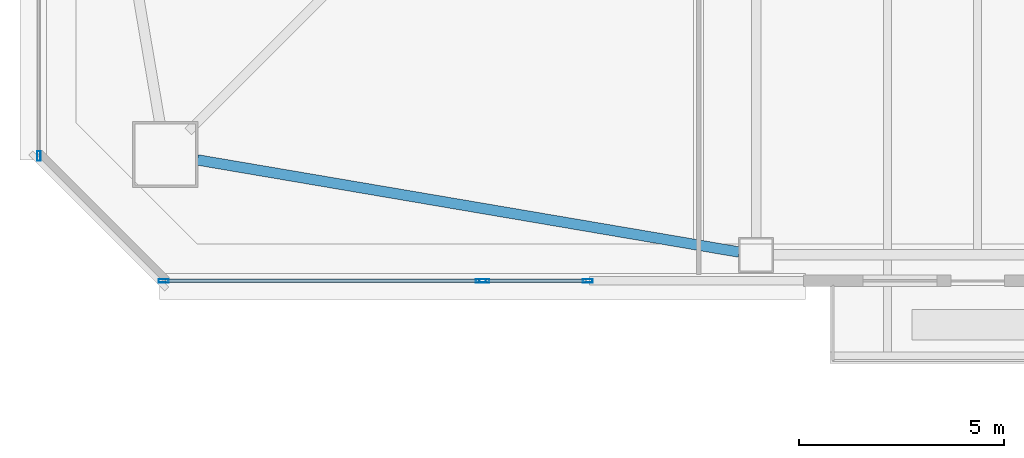
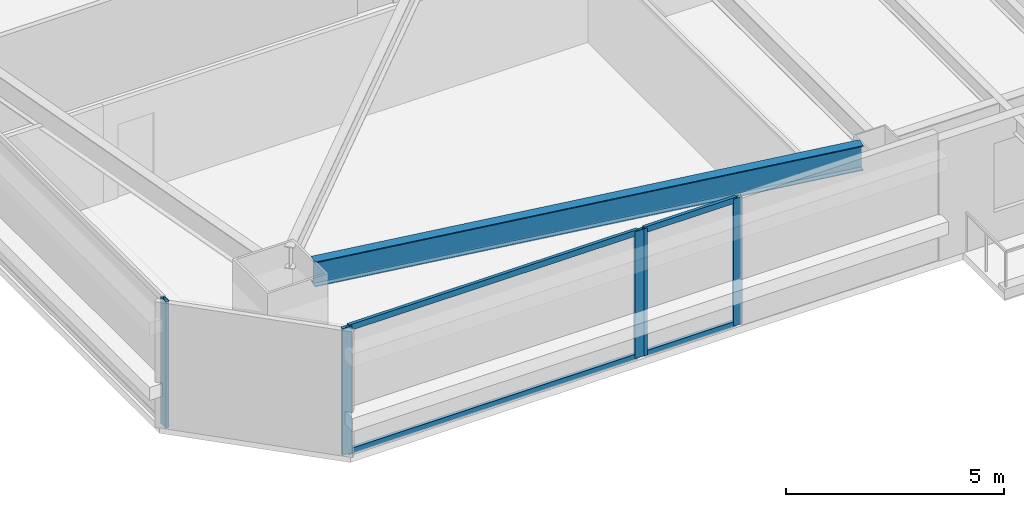
# One storey, part 3 of 45: 9 members, 1 beam, 3 elements without a shape of their own.
"""IFC4 building model written with IfcOpenShell, lengths in metres."""

import ifcopenshell
import ifcopenshell.guid

model = None  # the IFC model being written
_history = None  # IfcOwnerHistory: only IFC2X3 demands one
_inside = {}  # id of a spatial element -> (the spatial element, [elements in it])
_under = {}  # id of a project, library or spatial element -> (it, [spatial elements below it])
_declared = {}  # id of a project -> (the project, [libraries it declares])
_typed = {}  # id of a type object -> (the type object, [elements of that type])
_made_of = {}  # id of a material, layer set ... -> (it, [elements and type objects made of it])


def new_model(schema):
    """Start an empty IFC model of exactly this schema.

    Asked for "IFC4X3", IfcOpenShell would pick the latest addendum, in which some entities
    have other attributes; the version numbers below select the first issue.
    IFC2X3 requires an IfcOwnerHistory on every rooted entity: one is made here for all.
    """
    global model, _history
    if schema == "IFC4X3":
        model = ifcopenshell.file(schema_version=(4, 3, 0, 0))
    else:
        model = ifcopenshell.file(schema=schema)
    _inside.clear()
    _under.clear()
    _declared.clear()
    _typed.clear()
    _made_of.clear()
    _history = None
    if model.schema == "IFC2X3":
        org = make("IfcOrganization", Name="unknown")
        user = make(
            "IfcPersonAndOrganization",
            ThePerson=make("IfcPerson", FamilyName="unknown"),
            TheOrganization=org,
        )
        app = make(
            "IfcApplication",
            ApplicationDeveloper=org,
            Version="unknown",
            ApplicationFullName="unknown",
            ApplicationIdentifier="unknown",
        )
        _history = make(
            "IfcOwnerHistory",
            OwningUser=user,
            OwningApplication=app,
            ChangeAction="ADDED",
            CreationDate=0,
        )
    return model


def make(cls, **values):
    """One entity of the class cls with the attributes given. An attribute that is None is left unset."""
    return model.create_entity(
        cls, **{name: value for name, value in values.items() if value is not None}
    )


def rooted(cls, **values):
    """An entity with a GlobalId (a new one), such as an element, a storey or a relation."""
    return make(cls, GlobalId=ifcopenshell.guid.new(), OwnerHistory=_history, **values)


def si_unit(unit_type, name, prefix=None):
    """IfcSIUnit, for example si_unit("LENGTHUNIT", "METRE", prefix="MILLI")."""
    return make("IfcSIUnit", UnitType=unit_type, Prefix=prefix, Name=name)


def assignment(units):
    """IfcUnitAssignment: the units of a project."""
    return None if units is None else make("IfcUnitAssignment", Units=units)


def point(xyz):
    """IfcCartesianPoint."""
    return None if xyz is None else make("IfcCartesianPoint", Coordinates=xyz)


def direction(xyz):
    """IfcDirection."""
    return None if xyz is None else make("IfcDirection", DirectionRatios=xyz)


def frame(location, z_axis=None, x_axis=None):
    """IfcAxis2Placement3D, a coordinate frame: its origin and axes. An axis left out is left unset."""
    return make(
        "IfcAxis2Placement3D",
        Location=point(location),
        Axis=direction(z_axis),
        RefDirection=direction(x_axis),
    )


def frame_2d(location, x_axis=None):
    """IfcAxis2Placement2D, a coordinate frame in the plane: its origin and x axis."""
    return make(
        "IfcAxis2Placement2D", Location=point(location), RefDirection=direction(x_axis)
    )


def origin():
    """The frame at (0, 0, 0) with its axes left unset."""
    return frame((0.0, 0.0, 0.0))


def origin_2d():
    """The frame at (0, 0) in the plane with its x axis left unset."""
    return frame_2d((0.0, 0.0))


def place(relative_to, where):
    """IfcLocalPlacement: puts the frame where relative to a parent placement (None: the world)."""
    return make(
        "IfcLocalPlacement", PlacementRelTo=relative_to, RelativePlacement=where
    )


def context(
    kind, dimensions, precision=None, world=None, true_north=None, identifier=None
):
    """IfcGeometricRepresentationContext, for example the 3D "Model" context."""
    return make(
        "IfcGeometricRepresentationContext",
        ContextIdentifier=identifier,
        ContextType=kind,
        CoordinateSpaceDimension=dimensions,
        Precision=precision,
        WorldCoordinateSystem=world,
        TrueNorth=true_north,
    )


def subcontext(parent, identifier, kind, view, scale=None):
    """IfcGeometricRepresentationSubContext, for example "Body" below "Model"."""
    return make(
        "IfcGeometricRepresentationSubContext",
        ContextIdentifier=identifier,
        ContextType=kind,
        ParentContext=parent,
        TargetScale=scale,
        TargetView=view,
    )


def project(units=None, contexts=None):
    """IfcProject with its units and contexts."""
    return rooted(
        "IfcProject",
        Name="project",
        RepresentationContexts=contexts,
        UnitsInContext=assignment(units),
    )


def spatial(cls, under=None, at=None, **own):
    """A site, building, storey or space (cls), placed at a placement, below another one or the project."""
    s = rooted(cls, ObjectPlacement=at, **own)
    if under is not None:
        _under.setdefault(under.id(), (under, []))[1].append(s)
    return s


def profile(cls, at=None, kind="AREA", **sizes):
    """A parametric profile (cls). Its sizes go by their IFC names, for example OverallWidth=200.0."""
    return make(cls, ProfileType=kind, Position=at, **sizes)


def hollow_rectangle(**sizes):
    """IfcRectangleHollowProfileDef."""
    return profile("IfcRectangleHollowProfileDef", **sizes)


def i_section(**sizes):
    """IfcIShapeProfileDef."""
    return profile("IfcIShapeProfileDef", **sizes)


def extrude(swept, where, along, depth):
    """IfcExtrudedAreaSolid: the profile swept, set in the frame where, extruded along a direction by depth."""
    return make(
        "IfcExtrudedAreaSolid",
        SweptArea=swept,
        Position=where,
        ExtrudedDirection=direction(along),
        Depth=depth,
    )


def shape(context_of_items, identifier, shape_type, items):
    """IfcShapeRepresentation: the items that make up one representation, for example the "Body"."""
    return make(
        "IfcShapeRepresentation",
        ContextOfItems=context_of_items,
        RepresentationIdentifier=identifier,
        RepresentationType=shape_type,
        Items=items,
    )


def material(Name=None, Category=None):
    """IfcMaterial."""
    return make("IfcMaterial", Name=Name, Category=Category)


def material_profile(
    of_material, cross_section, Name=None, Category=None, Priority=None
):
    """IfcMaterialProfile: a cross section and its material."""
    return make(
        "IfcMaterialProfile",
        Name=Name,
        Material=of_material,
        Profile=cross_section,
        Priority=Priority,
        Category=Category,
    )


def profile_set(profiles, Name=None, composite=None):
    """IfcMaterialProfileSet."""
    return make(
        "IfcMaterialProfileSet",
        Name=Name,
        MaterialProfiles=profiles,
        CompositeProfile=composite,
    )


def made_of(thing, what):
    """Note that an element or type object is made of a material, layer set ...; save() writes the relation."""
    if what is not None:
        _made_of.setdefault(what.id(), (what, []))[1].append(thing)
    return thing


def type_object(cls, material=None, **own):
    """A type object (cls), such as IfcWallType, which elements share."""
    return made_of(rooted(cls, **own), material)


def element(
    cls,
    number,
    at=None,
    inside=None,
    cuts=None,
    type_object=None,
    material=None,
    context=None,
    identifier="Body",
    shape_type=None,
    held_by="IfcProductDefinitionShape",
    body=None,
    shapes=None,
    **own,
):
    """One element of the class cls, such as IfcWall. Its Tag is "e" and its number.

    at: its placement. inside: the storey or other place that contains it. cuts: it is an
    opening in that element (IfcRelVoidsElement). A single representation is given by context,
    identifier, shape_type and body (its items); several are given by shapes. held_by: the class
    of the entity that holds the representations. save() writes the other relations.
    """
    e = rooted(cls, Tag="e%d" % number, ObjectPlacement=at, **own)
    if body is not None:
        shapes = [shape(context, identifier, shape_type, body)]
    if shapes is not None:
        e.Representation = make(held_by, Representations=shapes)
    if inside is not None:
        _inside.setdefault(inside.id(), (inside, []))[1].append(e)
    if cuts is not None:
        rooted(
            "IfcRelVoidsElement", RelatingBuildingElement=cuts, RelatedOpeningElement=e
        )
    if type_object is not None:
        _typed.setdefault(type_object.id(), (type_object, []))[1].append(e)
    return made_of(e, material)


def aggregate(whole, parts):
    """IfcRelAggregates: a whole, such as a stair, and the parts it consists of."""
    return rooted("IfcRelAggregates", RelatingObject=whole, RelatedObjects=parts)


def save(model, path):
    """Write the relations noted so far, then the file.

    IfcRelAggregates (storeys below a building ...), IfcRelContainedInSpatialStructure (elements
    in a storey), IfcRelDefinesByType, IfcRelAssociatesMaterial and IfcRelDeclares: one each for
    every whole, place, type object, material and project.
    """
    for whole, parts in _under.values():
        aggregate(whole, parts)
    for where, things in _inside.values():
        rooted(
            "IfcRelContainedInSpatialStructure",
            RelatedElements=things,
            RelatingStructure=where,
        )
    for kind, things in _typed.values():
        rooted("IfcRelDefinesByType", RelatedObjects=things, RelatingType=kind)
    for what, things in _made_of.values():
        rooted("IfcRelAssociatesMaterial", RelatedObjects=things, RelatingMaterial=what)
    for by, libraries in _declared.values():
        rooted("IfcRelDeclares", RelatingContext=by, RelatedDefinitions=libraries)
    model.write(path)


model = new_model("IFC4")

# Units and contexts
model_context = context("Model", 3, precision=1e-05, world=origin(), true_north=direction((0.0, 1.0)))
body_context = subcontext(model_context, "Body", "Model", "MODEL_VIEW")
ifc_project = project(units=[si_unit("LENGTHUNIT", "METRE"), si_unit("AREAUNIT", "SQUARE_METRE"), si_unit("VOLUMEUNIT", "CUBIC_METRE"), si_unit("PLANEANGLEUNIT", "RADIAN"), si_unit("MASSUNIT", "GRAM", prefix="KILO")], contexts=[model_context])

# Site, building, storey
site_placement = place(None, origin())
site = spatial("IfcSite", under=ifc_project, at=site_placement, CompositionType="ELEMENT")
building_placement = place(site_placement, origin())
building = spatial("IfcBuilding", under=site, at=building_placement, Name="Tashvorn Skyway Center", CompositionType="ELEMENT")
storey_placement = place(building_placement, frame((0.0, 0.0, 35.25)))
storey = spatial("IfcBuildingStorey", under=building, at=storey_placement, Name="L08", CompositionType="ELEMENT", Elevation=35.25)

# Beam
ifc_material_1 = material(Name="Steel ASTM A992 Grade 50", Category="steel")
ifc_material_profile_1 = material_profile(ifc_material_1, i_section(OverallWidth=0.256103515625, OverallDepth=0.693115234375, WebThickness=0.014404296875, FlangeThickness=0.023681640625, at=origin_2d()), Name="W27X114")
ifc_profile_set_1 = profile_set([ifc_material_profile_1], Name="Steel ASTM A992 Grade 50")
beam_type = type_object("IfcBeamType", Name="BM-SPANDREL-W27X114", PredefinedType="SPANDREL", material=ifc_profile_set_1)
beam_placement = place(storey_placement, frame((22.983642578125, 12.066650390625, 3.00341796875), z_axis=(0.985835025551, -0.16771792509, 0.0), x_axis=(0.16771792509, 0.985835025551, 0.0)))
element("IfcBeam", 1, at=beam_placement, inside=storey, type_object=beam_type, Name="Tower 1 L08 Spandrel Beam 01", PredefinedType="SPANDREL", context=body_context, shape_type="SweptSolid", body=[
    extrude(i_section(OverallWidth=0.256103515625, OverallDepth=0.693115234375, WebThickness=0.014404296875, FlangeThickness=0.023681640625, at=origin_2d()), origin(), (0.0, 0.0, 1.0), 13.39208984375),
])

# Curtain wall, members
ifc_material_2 = material(Name="Thermally broken bronze-anodized aluminium 6063-T6", Category="aluminium")
curtain_wall_type = type_object("IfcCurtainWallType", Name="CW-CW-Z1", PredefinedType="NOTDEFINED", material=ifc_material_2)
curtain_wall_1_placement = place(storey_placement, origin())
curtain_wall_1 = element("IfcCurtainWall", 2, at=curtain_wall_1_placement, inside=storey, type_object=curtain_wall_type, Name="Tower 1 L08 South Curtain Wall R Glazing Group 1", PredefinedType="NOTDEFINED")
ifc_material_profile_2 = material_profile(ifc_material_2, hollow_rectangle(XDim=0.0849609375, YDim=0.239990234375, WallThickness=0.0048828125, at=origin_2d()), Name="ALU-MULL-85x240")
ifc_profile_set_2 = profile_set([ifc_material_profile_2], Name="Thermally broken bronze-anodized aluminium 6063-T6")
member_type_1 = type_object("IfcMemberType", Name="CWM-CW-Z1", PredefinedType="MULLION", material=ifc_profile_set_2)
member_1_placement = place(storey_placement, frame((32.49755859375, 9.1201171875, 0.0), z_axis=(0.0, 0.0, 1.0), x_axis=(0.0, -1.0, 0.0)))
member_1 = element("IfcMember", 3, at=member_1_placement, type_object=member_type_1, Name="CW-Z1 mullion 1", PredefinedType="MULLION", context=body_context, shape_type="SweptSolid", body=[
    extrude(hollow_rectangle(XDim=0.0849609375, YDim=0.239990234375, WallThickness=0.0048828125, at=origin_2d()), origin(), (0.0, 0.0, 1.0), 3.550048828125),
])
member_2_placement = place(storey_placement, frame((29.9775390625, 9.1201171875, 0.0), z_axis=(0.0, 0.0, 1.0), x_axis=(0.0, -1.0, 0.0)))
member_2 = element("IfcMember", 4, at=member_2_placement, type_object=member_type_1, Name="CW-Z1 mullion 2", PredefinedType="MULLION", context=body_context, shape_type="SweptSolid", body=[
    extrude(hollow_rectangle(XDim=0.0849609375, YDim=0.239990234375, WallThickness=0.0048828125, at=origin_2d()), origin(), (0.0, 0.0, 1.0), 3.550048828125),
])

curtain_wall_2_placement = place(storey_placement, origin())
curtain_wall_2 = element("IfcCurtainWall", 5, at=curtain_wall_2_placement, inside=storey, type_object=curtain_wall_type, Name="Tower 1 L08 South Curtain Wall R Glazing Group 2", PredefinedType="NOTDEFINED")
member_3_placement = place(storey_placement, frame((29.892578125, 9.1201171875, 0.0), z_axis=(0.0, 0.0, 1.0), x_axis=(0.0, -1.0, 0.0)))
member_3 = element("IfcMember", 6, at=member_3_placement, type_object=member_type_1, Name="CW-Z1 mullion 1", PredefinedType="MULLION", context=body_context, shape_type="SweptSolid", body=[
    extrude(hollow_rectangle(XDim=0.0849609375, YDim=0.239990234375, WallThickness=0.0048828125, at=origin_2d()), origin(), (0.0, 0.0, 1.0), 3.550048828125),
])
member_4_placement = place(storey_placement, frame((22.16259765625, 9.1201171875, 0.0), z_axis=(0.0, 0.0, 1.0), x_axis=(0.0, -1.0, 0.0)))
member_4 = element("IfcMember", 7, at=member_4_placement, type_object=member_type_1, Name="CW-Z1 mullion 2", PredefinedType="MULLION", context=body_context, shape_type="SweptSolid", body=[
    extrude(hollow_rectangle(XDim=0.0849609375, YDim=0.239990234375, WallThickness=0.0048828125, at=origin_2d()), origin(), (0.0, 0.0, 1.0), 3.550048828125),
])

# Curtain wall, member
curtain_wall_3_placement = place(storey_placement, origin())
curtain_wall_3 = element("IfcCurtainWall", 8, at=curtain_wall_3_placement, inside=storey, type_object=curtain_wall_type, Name="Tower 1 L08 West Unitised Curtain Wall Glazing Group 1", PredefinedType="NOTDEFINED")
member_5_placement = place(storey_placement, frame((19.1201171875, 12.16259765625, 0.0), z_axis=(0.0, 0.0, 1.0), x_axis=(-1.0, 0.0, 0.0)))
member_5 = element("IfcMember", 9, at=member_5_placement, type_object=member_type_1, Name="CW-Z1 mullion 1", PredefinedType="MULLION", context=body_context, shape_type="SweptSolid", body=[
    extrude(hollow_rectangle(XDim=0.0849609375, YDim=0.239990234375, WallThickness=0.0048828125, at=origin_2d()), origin(), (0.0, 0.0, 1.0), 3.550048828125),
])
aggregate(curtain_wall_3, [member_5])

# Member
ifc_material_profile_3 = material_profile(ifc_material_2, hollow_rectangle(XDim=0.0849609375, YDim=0.1650390625, WallThickness=0.0048828125, at=origin_2d()), Name="ALU-TRAN-85x165")
ifc_profile_set_3 = profile_set([ifc_material_profile_3], Name="Thermally broken bronze-anodized aluminium 6063-T6")
member_type_2 = type_object("IfcMemberType", Name="CWT-CW-Z1", PredefinedType="USERDEFINED", material=ifc_profile_set_3)
member_6_placement = place(storey_placement, frame((32.455078125, 9.1201171875, 0.04248046875), z_axis=(-1.0, 0.0, 0.0), x_axis=(0.0, -1.0, 0.0)))
member_6 = element("IfcMember", 10, at=member_6_placement, type_object=member_type_2, Name="CW-Z1 transom 1.1", ObjectType="TRANSOM", PredefinedType="USERDEFINED", context=body_context, shape_type="SweptSolid", body=[
    extrude(hollow_rectangle(XDim=0.0849609375, YDim=0.1650390625, WallThickness=0.0048828125, at=origin_2d()), origin(), (0.0, 0.0, 1.0), 2.43505859375),
])

member_7_placement = place(storey_placement, frame((32.455078125, 9.1201171875, 3.507568359375), z_axis=(-1.0, 0.0, 0.0), x_axis=(0.0, -1.0, 0.0)))
member_7 = element("IfcMember", 11, at=member_7_placement, type_object=member_type_2, Name="CW-Z1 transom 1.2", ObjectType="TRANSOM", PredefinedType="USERDEFINED", context=body_context, shape_type="SweptSolid", body=[
    extrude(hollow_rectangle(XDim=0.0849609375, YDim=0.1650390625, WallThickness=0.0048828125, at=origin_2d()), origin(), (0.0, 0.0, 1.0), 2.43505859375),
])

aggregate(curtain_wall_1, [member_1, member_2, member_6, member_7])

member_8_placement = place(storey_placement, frame((29.85009765625, 9.1201171875, 0.04248046875), z_axis=(-1.0, 0.0, 0.0), x_axis=(0.0, -1.0, 0.0)))
member_8 = element("IfcMember", 12, at=member_8_placement, type_object=member_type_2, Name="CW-Z1 transom 1.1", ObjectType="TRANSOM", PredefinedType="USERDEFINED", context=body_context, shape_type="SweptSolid", body=[
    extrude(hollow_rectangle(XDim=0.0849609375, YDim=0.1650390625, WallThickness=0.0048828125, at=origin_2d()), origin(), (0.0, 0.0, 1.0), 7.64501953125),
])

member_9_placement = place(storey_placement, frame((29.85009765625, 9.1201171875, 3.507568359375), z_axis=(-1.0, 0.0, 0.0), x_axis=(0.0, -1.0, 0.0)))
member_9 = element("IfcMember", 13, at=member_9_placement, type_object=member_type_2, Name="CW-Z1 transom 1.2", ObjectType="TRANSOM", PredefinedType="USERDEFINED", context=body_context, shape_type="SweptSolid", body=[
    extrude(hollow_rectangle(XDim=0.0849609375, YDim=0.1650390625, WallThickness=0.0048828125, at=origin_2d()), origin(), (0.0, 0.0, 1.0), 7.64501953125),
])

aggregate(curtain_wall_2, [member_3, member_4, member_8, member_9])

save(model, "model.ifc")
